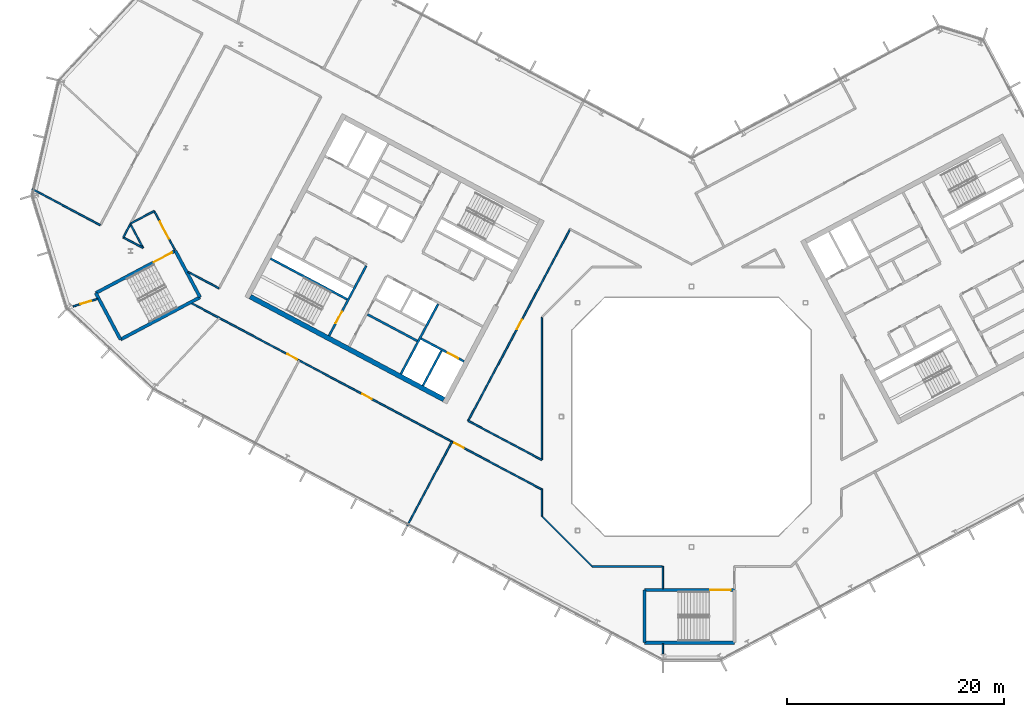
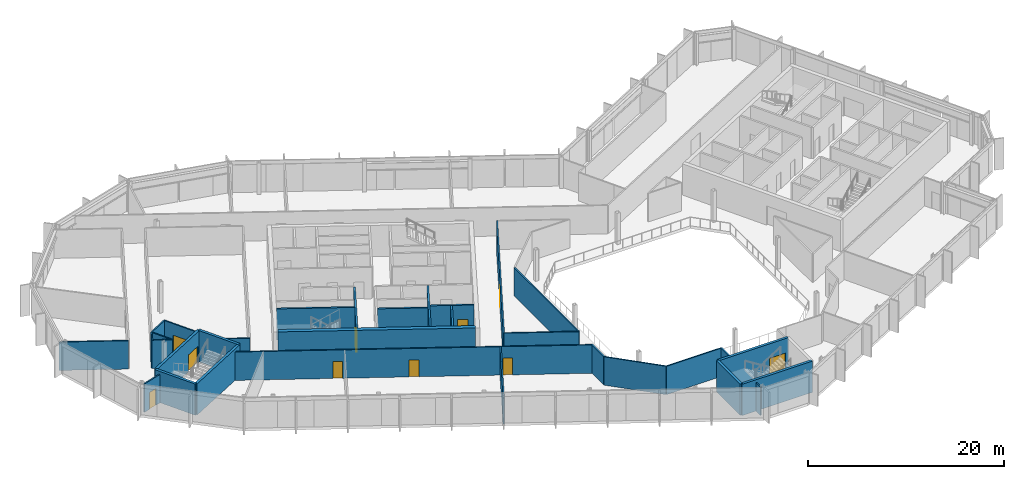
# One storey, part 13 of 26: 32 walls, 10 doors, 10 openings.
"""IFC4 building model written with IfcOpenShell, lengths in metres."""

from ifc_helpers import new_model, si_unit, direction, frame, frame_2d, origin, place, context, subcontext, project, spatial, rectangle, extrude, material, layer, layer_set, type_object, element, fill, save


model = new_model("IFC4")

# Units and contexts
model_context = context("Model", 3, precision=1e-05, world=origin(), true_north=direction((0.0, 1.0)))
body_context = subcontext(model_context, "Body", "Model", "MODEL_VIEW")
ifc_project = project(units=[si_unit("LENGTHUNIT", "METRE"), si_unit("AREAUNIT", "SQUARE_METRE"), si_unit("VOLUMEUNIT", "CUBIC_METRE"), si_unit("PLANEANGLEUNIT", "RADIAN"), si_unit("MASSUNIT", "GRAM", prefix="KILO")], contexts=[model_context])

# Site, building, storey
site_placement = place(None, origin())
site = spatial("IfcSite", under=ifc_project, at=site_placement, CompositionType="ELEMENT")
building_placement = place(site_placement, origin())
building = spatial("IfcBuilding", under=site, at=building_placement, Name="Cormorant Relay Tower", CompositionType="ELEMENT")
storey_placement = place(building_placement, frame((0.0, 0.0, 304.800048828125)))
storey = spatial("IfcBuildingStorey", under=building, at=storey_placement, Name="L69", CompositionType="ELEMENT", Elevation=304.800048828125)

# Walls
ifc_material_1 = material(Name="Concrete 40 MPa", Category="concrete")
ifc_layer_1 = layer(ifc_material_1, 0.199951171875)
ifc_layer_set_1 = layer_set([ifc_layer_1], Name="Core internal wall 200")
wall_type_1 = type_object("IfcWallType", Name="Core internal wall 200", PredefinedType="SOLIDWALL", material=ifc_layer_set_1)
wall_1_placement = place(storey_placement, frame((-25.279541015625, 6.985595703125, 0.0), z_axis=(0.0, 0.0, 1.0), x_axis=(-0.882934506056, 0.469496174655, 0.0)))
element("IfcWall", 1, at=wall_1_placement, inside=storey, type_object=wall_type_1, Name="L69 core A shaft and room wall", PredefinedType="SOLIDWALL", context=body_context, shape_type="SweptSolid", body=[
    extrude(rectangle(XDim=5.199951171875, YDim=0.199951171875, at=frame_2d((2.60009765625, 0.0))), origin(), (0.0, 0.0, 1.0), 3.89990234375),
])
ifc_material_2 = material(Name="Concrete 50 MPa", Category="concrete")
ifc_layer_2 = layer(ifc_material_2, 0.199951171875)
ifc_layer_set_2 = layer_set([ifc_layer_2], Name="Core shaft wall 200")
wall_type_2 = type_object("IfcWallType", Name="Core shaft wall 200", PredefinedType="SHEAR", material=ifc_layer_set_2)
wall_2_placement = place(storey_placement, frame((-23.04296875, 6.07958984375, 0.0), z_axis=(0.0, 0.0, 1.0), x_axis=(-0.469494272526, -0.882935517501, 0.0)))
element("IfcWall", 2, at=wall_2_placement, inside=storey, type_object=wall_type_2, Name="L69 core A shaft wall", PredefinedType="SHEAR", context=body_context, shape_type="SweptSolid", body=[
    extrude(rectangle(XDim=3.64990234375, YDim=0.199951171875, at=frame_2d((1.824951171875, 0.0))), origin(), (0.0, 0.0, 1.0), 3.89990234375),
])
wall_3_placement = place(storey_placement, frame((-23.360107421875, 10.38232421875, 0.0), z_axis=(0.0, 0.0, 1.0), x_axis=(-0.469480409012, -0.88294288918, 0.0)))
element("IfcWall", 3, at=wall_3_placement, inside=storey, type_object=wall_type_2, Name="L69 core A shaft wall", PredefinedType="SHEAR", context=body_context, shape_type="SweptSolid", body=[
    extrude(rectangle(XDim=7.300048828125, YDim=0.199951171875, at=frame_2d((3.64990234375, 0.0))), origin(), (0.0, 0.0, 1.0), 3.89990234375),
])

# Wall, opening, door
wall_4_placement = place(storey_placement, frame((-29.982421875, 13.9033203125, 0.0), z_axis=(0.0, 0.0, 1.0), x_axis=(-0.469454336211, -0.882956752176, 0.0)))
wall_4 = element("IfcWall", 4, at=wall_4_placement, inside=storey, type_object=wall_type_2, Name="L69 core A shaft wall", PredefinedType="SHEAR", context=body_context, shape_type="SweptSolid", body=[
    extrude(rectangle(XDim=7.300048828125, YDim=0.199951171875, at=frame_2d((3.64990234375, 0.0))), origin(), (0.0, 0.0, 1.0), 3.89990234375),
])
opening_1_placement = place(wall_4_placement, frame((4.800048828125, 0.0, 0.0)))
opening_1 = element("IfcOpeningElement", 5, at=opening_1_placement, cuts=wall_4, Name="Opening CDB-039", PredefinedType="OPENING", context=body_context, shape_type="SweptSolid", body=[
    extrude(rectangle(XDim=1.199951171875, YDim=2.10009765625, at=frame_2d((0.60009765625, 1.050048828125))), frame((0.0, 0.10986328125, 0.0), z_axis=(0.0, -1.0, 0.0), x_axis=(1.0, 0.0, 0.0)), (0.0, 0.0, 1.0), 0.219970703125),
])
ifc_material_3 = material(Name="Steel fire door", Category="steel")
door_type_1 = type_object("IfcDoorType", Name="Core stair door 1200x2100", OperationType="SINGLE_SWING_LEFT", PredefinedType="DOOR", material=ifc_material_3)
door_1_placement = place(opening_1_placement, frame((1.199951171875, 0.0, 0.0), z_axis=(0.0, 0.0, 1.0), x_axis=(-1.0, 0.0, 0.0)))
door_1 = element("IfcDoor", 6, at=door_1_placement, inside=storey, type_object=door_type_1, Name="Core stair door 1200x2100", OperationType="SINGLE_SWING_RIGHT", OverallHeight=2.10009765625, OverallWidth=1.199951171875, PredefinedType="DOOR", context=body_context, shape_type="SweptSolid", body=[
    extrude(rectangle(XDim=1.199951171875, YDim=2.10009765625, at=frame_2d((0.60009765625, 1.050048828125))), frame((0.0, 0.02490234375, 0.0), z_axis=(0.0, -1.0, 0.0), x_axis=(1.0, 0.0, 0.0)), (0.0, 0.0, 1.0), 0.050048828125),
])
fill(opening_1, door_1)

wall_5_placement = place(storey_placement, frame((-20.96533203125, 5.088134765625, 0.0), z_axis=(0.0, 0.0, 1.0), x_axis=(-0.882925986334, 0.469512196493, 0.0)))
wall_5 = element("IfcWall", 7, at=wall_5_placement, inside=storey, type_object=wall_type_2, Name="L69 core A shaft wall", PredefinedType="SHEAR", context=body_context, shape_type="SweptSolid", body=[
    extrude(rectangle(XDim=4.5, YDim=0.199951171875, at=frame_2d((2.25, 0.0))), origin(), (0.0, 0.0, 1.0), 3.89990234375),
])
opening_2_placement = place(wall_5_placement, frame((0.60009765625, 0.0, 0.0)))
opening_2 = element("IfcOpeningElement", 8, at=opening_2_placement, cuts=wall_5, Name="Opening LD1-063", PredefinedType="OPENING", context=body_context, shape_type="SweptSolid", body=[
    extrude(rectangle(XDim=1.10009765625, YDim=2.10009765625, at=frame_2d((0.550048828125, 1.050048828125))), frame((0.0, 0.10986328125, 0.0), z_axis=(0.0, -1.0, 0.0), x_axis=(1.0, 0.0, 0.0)), (0.0, 0.0, 1.0), 0.219970703125),
])
ifc_material_4 = material(Name="Stainless steel 316", Category="steel")
door_type_2 = type_object("IfcDoorType", Name="Lift landing door 1100x2100", OperationType="DOUBLE_DOOR_SLIDING", PredefinedType="DOOR", material=ifc_material_4)
door_2_placement = place(opening_2_placement, origin())
door_2 = element("IfcDoor", 9, at=door_2_placement, inside=storey, type_object=door_type_2, Name="FF1 landing door", OperationType="DOUBLE_DOOR_SLIDING", OverallHeight=2.10009765625, OverallWidth=1.10009765625, PredefinedType="DOOR", context=body_context, shape_type="SweptSolid", body=[
    extrude(rectangle(XDim=1.10009765625, YDim=2.10009765625, at=frame_2d((0.550048828125, 1.050048828125))), frame((0.0, 0.02490234375, 0.0), z_axis=(0.0, -1.0, 0.0), x_axis=(1.0, 0.0, 0.0)), (0.0, 0.0, 1.0), 0.050048828125),
])
fill(opening_2, door_2)

# Walls
wall_6_placement = place(storey_placement, frame((-31.7373046875, 10.815673828125, 0.0), z_axis=(0.0, 0.0, 1.0), x_axis=(-0.882940221191, 0.469485426614, 0.0)))
element("IfcWall", 10, at=wall_6_placement, inside=storey, type_object=wall_type_2, Name="L69 core A shaft wall", PredefinedType="SHEAR", context=body_context, shape_type="SweptSolid", body=[
    extrude(rectangle(XDim=8.0, YDim=0.199951171875, at=frame_2d((4.0, 0.0))), origin(), (0.0, 0.0, 1.0), 3.89990234375),
])
ifc_material_5 = material(Name="Concrete 50 MPa", Category="concrete")
ifc_layer_3 = layer(ifc_material_5, 0.449951171875)
ifc_layer_set_3 = layer_set([ifc_layer_3], Name="Core wall 450")
wall_type_3 = type_object("IfcWallType", Name="Core wall 450", PredefinedType="SHEAR", material=ifc_layer_set_3)
wall_7_placement = place(storey_placement, frame((-22.83154296875, 1.578369140625, 0.0), z_axis=(0.0, 0.0, 1.0), x_axis=(-0.88294509198, 0.469476266226, 0.0)))
element("IfcWall", 11, at=wall_7_placement, inside=storey, type_object=wall_type_3, Name="L69 core A wall", PredefinedType="SHEAR", context=body_context, shape_type="SweptSolid", body=[
    extrude(rectangle(XDim=20.199951171875, YDim=0.449951171875, at=frame_2d((10.10009765625, 0.0))), origin(), (0.0, 0.0, 1.0), 3.89990234375),
])
ifc_material_6 = material(Name="Gypsum board fire partition")
ifc_layer_4 = layer(ifc_material_6, 0.14990234375)
ifc_layer_set_4 = layer_set([ifc_layer_4], Name="Corridor partition 150 EI 60")
wall_type_4 = type_object("IfcWallType", Name="Corridor partition 150 EI 60", PredefinedType="PARTITIONING", material=ifc_layer_set_4)
wall_8_placement = place(storey_placement, frame((-54.492919921875, 17.64892578125, 0.0), z_axis=(0.0, 0.0, 1.0), x_axis=(-0.882938254124, 0.469489125971, 0.0)))
element("IfcWall", 12, at=wall_8_placement, inside=storey, type_object=wall_type_4, Name="wall/L69/part/004", PredefinedType="PARTITIONING", context=body_context, shape_type="SweptSolid", body=[
    extrude(rectangle(XDim=7.127197265625, YDim=0.14990234375, at=frame_2d((3.5634765625, 0.0))), origin(), (0.0, 0.0, 1.0), 3.5400390625),
])

# Wall, opening, door
wall_9_placement = place(storey_placement, frame((-54.73193359375, 10.85693359375, 0.0), z_axis=(0.0, 0.0, 1.0), x_axis=(-0.956231519395, -0.292611143525, 0.0)))
wall_9 = element("IfcWall", 13, at=wall_9_placement, inside=storey, type_object=wall_type_4, Name="wall/L69/part/005", PredefinedType="PARTITIONING", context=body_context, shape_type="SweptSolid", body=[
    extrude(rectangle(XDim=2.385498046875, YDim=0.14990234375, at=frame_2d((1.19287109375, 0.0))), origin(), (0.0, 0.0, 1.0), 3.5400390625),
])
opening_3_placement = place(wall_9_placement, frame((0.64990234375, 0.0, 0.0)))
opening_3 = element("IfcOpeningElement", 14, at=opening_3_placement, cuts=wall_9, Name="Opening DS-236", PredefinedType="OPENING", context=body_context, shape_type="SweptSolid", body=[
    extrude(rectangle(XDim=1.0, YDim=2.10009765625, at=frame_2d((0.5, 1.050048828125))), frame((0.0, 0.0849609375, 0.0), z_axis=(0.0, -1.0, 0.0), x_axis=(1.0, 0.0, 0.0)), (0.0, 0.0, 1.0), 0.169921875),
])
ifc_material_7 = material(Name="Timber door leaf", Category="wood")
door_type_3 = type_object("IfcDoorType", Name="Suite door 1000x2100", OperationType="SINGLE_SWING_LEFT", PredefinedType="DOOR", material=ifc_material_7)
door_3_placement = place(opening_3_placement, frame((1.0, 0.0, 0.0), z_axis=(0.0, 0.0, 1.0), x_axis=(-1.0, 0.0, 0.0)))
door_3 = element("IfcDoor", 15, at=door_3_placement, inside=storey, type_object=door_type_3, Name="door/L69/008", OperationType="SINGLE_SWING_RIGHT", OverallHeight=2.10009765625, OverallWidth=1.0, PredefinedType="DOOR", context=body_context, shape_type="SweptSolid", body=[
    extrude(rectangle(XDim=1.0, YDim=2.10009765625, at=frame_2d((0.5, 1.050048828125))), frame((0.0, 0.02490234375, 0.0), z_axis=(0.0, -1.0, 0.0), x_axis=(1.0, 0.0, 0.0)), (0.0, 0.0, 1.0), 0.050048828125),
])
fill(opening_3, door_3)

wall_10_placement = place(storey_placement, frame((-47.62109375, 15.3779296875, 0.0), z_axis=(0.0, 0.0, 1.0), x_axis=(-0.469542997944, 0.882909606404, 0.0)))
wall_10 = element("IfcWall", 16, at=wall_10_placement, inside=storey, type_object=wall_type_4, Name="wall/L69/part/010", PredefinedType="PARTITIONING", context=body_context, shape_type="SweptSolid", body=[
    extrude(rectangle(XDim=4.050537109375, YDim=0.14990234375, at=frame_2d((2.025390625, 0.0))), origin(), (0.0, 0.0, 1.0), 3.5400390625),
])
opening_4_placement = place(wall_10_placement, frame((1.14990234375, 0.0, 0.0)))
opening_4 = element("IfcOpeningElement", 17, at=opening_4_placement, cuts=wall_10, Name="Opening DD-040", PredefinedType="OPENING", context=body_context, shape_type="SweptSolid", body=[
    extrude(rectangle(XDim=1.800048828125, YDim=2.10009765625, at=frame_2d((0.89990234375, 1.050048828125))), frame((0.0, 0.0849609375, 0.0), z_axis=(0.0, -1.0, 0.0), x_axis=(1.0, 0.0, 0.0)), (0.0, 0.0, 1.0), 0.169921875),
])
ifc_material_8 = material(Name="Timber door leaf", Category="wood")
door_type_4 = type_object("IfcDoorType", Name="Suite double door 1800x2100", OperationType="DOUBLE_DOOR_SINGLE_SWING", PredefinedType="DOOR", material=ifc_material_8)
door_4_placement = place(opening_4_placement, origin())
door_4 = element("IfcDoor", 18, at=door_4_placement, inside=storey, type_object=door_type_4, Name="door/L69/003", OperationType="DOUBLE_DOOR_SINGLE_SWING", OverallHeight=2.10009765625, OverallWidth=1.800048828125, PredefinedType="DOOR", context=body_context, shape_type="SweptSolid", body=[
    extrude(rectangle(XDim=1.800048828125, YDim=2.10009765625, at=frame_2d((0.89990234375, 1.050048828125))), frame((0.0, 0.02490234375, 0.0), z_axis=(0.0, -1.0, 0.0), x_axis=(1.0, 0.0, 0.0)), (0.0, 0.0, 1.0), 0.050048828125),
])
fill(opening_4, door_4)

# Walls
wall_11_placement = place(storey_placement, frame((-49.52294921875, 18.9541015625, 0.0), z_axis=(0.0, 0.0, 1.0), x_axis=(-0.882767334528, -0.469810422501, 0.0)))
element("IfcWall", 19, at=wall_11_placement, inside=storey, type_object=wall_type_4, Name="wall/L69/part/011", PredefinedType="PARTITIONING", context=body_context, shape_type="SweptSolid", body=[
    extrude(rectangle(XDim=2.460693359375, YDim=0.14990234375, at=frame_2d((1.23046875, 0.0))), origin(), (0.0, 0.0, 1.0), 3.5400390625),
])
wall_12_placement = place(storey_placement, frame((-43.5439453125, 11.826904296875, 0.0), z_axis=(0.0, 0.0, 1.0), x_axis=(-0.882974130461, 0.469421649411, 0.0)))
element("IfcWall", 20, at=wall_12_placement, inside=storey, type_object=wall_type_4, Name="wall/L69/part/015", PredefinedType="PARTITIONING", context=body_context, shape_type="SweptSolid", body=[
    extrude(rectangle(XDim=3.238037109375, YDim=0.14990234375, at=frame_2d((1.619140625, 0.0))), origin(), (0.0, 0.0, 1.0), 3.5400390625),
])

# Wall, openings, doors
wall_13_placement = place(storey_placement, frame((-13.800048828125, -6.7060546875, 0.0), z_axis=(0.0, 0.0, 1.0), x_axis=(-0.882947286887, 0.469472138235, 0.0)))
wall_13 = element("IfcWall", 21, at=wall_13_placement, inside=storey, type_object=wall_type_4, Name="wall/L69/part/016", PredefinedType="PARTITIONING", context=body_context, shape_type="SweptSolid", body=[
    extrude(rectangle(XDim=36.57080078125, YDim=0.14990234375, at=frame_2d((18.285400390625, 0.0))), origin(), (0.0, 0.0, 1.0), 3.5400390625),
])
opening_5_placement = place(wall_13_placement, frame((25.550048828125, 0.0, 0.0)))
opening_5 = element("IfcOpeningElement", 22, at=opening_5_placement, cuts=wall_13, Name="Opening DS-237", PredefinedType="OPENING", context=body_context, shape_type="SweptSolid", body=[
    extrude(rectangle(XDim=1.0, YDim=2.10009765625, at=frame_2d((0.5, 1.050048828125))), frame((0.0, 0.0849609375, 0.0), z_axis=(0.0, -1.0, 0.0), x_axis=(1.0, 0.0, 0.0)), (0.0, 0.0, 1.0), 0.169921875),
])
opening_6_placement = place(wall_13_placement, frame((17.75, 0.0, 0.0)))
opening_6 = element("IfcOpeningElement", 23, at=opening_6_placement, cuts=wall_13, Name="Opening DS-238", PredefinedType="OPENING", context=body_context, shape_type="SweptSolid", body=[
    extrude(rectangle(XDim=1.0, YDim=2.10009765625, at=frame_2d((0.5, 1.050048828125))), frame((0.0, 0.0849609375, 0.0), z_axis=(0.0, -1.0, 0.0), x_axis=(1.0, 0.0, 0.0)), (0.0, 0.0, 1.0), 0.169921875),
])
opening_7_placement = place(wall_13_placement, frame((8.14990234375, 0.0, 0.0)))
opening_7 = element("IfcOpeningElement", 24, at=opening_7_placement, cuts=wall_13, Name="Opening DS-239", PredefinedType="OPENING", context=body_context, shape_type="SweptSolid", body=[
    extrude(rectangle(XDim=1.0, YDim=2.10009765625, at=frame_2d((0.5, 1.050048828125))), frame((0.0, 0.0849609375, 0.0), z_axis=(0.0, -1.0, 0.0), x_axis=(1.0, 0.0, 0.0)), (0.0, 0.0, 1.0), 0.169921875),
])
door_5_placement = place(opening_5_placement, frame((1.0, 0.0, 0.0), z_axis=(0.0, 0.0, 1.0), x_axis=(-1.0, 0.0, 0.0)))
door_5 = element("IfcDoor", 25, at=door_5_placement, inside=storey, type_object=door_type_3, Name="door/L69/009", OperationType="SINGLE_SWING_RIGHT", OverallHeight=2.10009765625, OverallWidth=1.0, PredefinedType="DOOR", context=body_context, shape_type="SweptSolid", body=[
    extrude(rectangle(XDim=1.0, YDim=2.10009765625, at=frame_2d((0.5, 1.050048828125))), frame((0.0, 0.02490234375, 0.0), z_axis=(0.0, -1.0, 0.0), x_axis=(1.0, 0.0, 0.0)), (0.0, 0.0, 1.0), 0.050048828125),
])
fill(opening_5, door_5)
door_6_placement = place(opening_6_placement, frame((1.0, 0.0, 0.0), z_axis=(0.0, 0.0, 1.0), x_axis=(-1.0, 0.0, 0.0)))
door_6 = element("IfcDoor", 26, at=door_6_placement, inside=storey, type_object=door_type_3, Name="door/L69/010", OperationType="SINGLE_SWING_RIGHT", OverallHeight=2.10009765625, OverallWidth=1.0, PredefinedType="DOOR", context=body_context, shape_type="SweptSolid", body=[
    extrude(rectangle(XDim=1.0, YDim=2.10009765625, at=frame_2d((0.5, 1.050048828125))), frame((0.0, 0.02490234375, 0.0), z_axis=(0.0, -1.0, 0.0), x_axis=(1.0, 0.0, 0.0)), (0.0, 0.0, 1.0), 0.050048828125),
])
fill(opening_6, door_6)
door_7_placement = place(opening_7_placement, frame((1.0, 0.0, 0.0), z_axis=(0.0, 0.0, 1.0), x_axis=(-1.0, 0.0, 0.0)))
door_7 = element("IfcDoor", 27, at=door_7_placement, inside=storey, type_object=door_type_3, Name="door/L69/011", OperationType="SINGLE_SWING_RIGHT", OverallHeight=2.10009765625, OverallWidth=1.0, PredefinedType="DOOR", context=body_context, shape_type="SweptSolid", body=[
    extrude(rectangle(XDim=1.0, YDim=2.10009765625, at=frame_2d((0.5, 1.050048828125))), frame((0.0, 0.02490234375, 0.0), z_axis=(0.0, -1.0, 0.0), x_axis=(1.0, 0.0, 0.0)), (0.0, 0.0, 1.0), 0.050048828125),
])
fill(opening_7, door_7)

# Walls
wall_14_placement = place(storey_placement, frame((-2.693115234375, -13.800048828125, 0.0), z_axis=(0.0, 0.0, 1.0), x_axis=(-1.0, 0.0, 0.0)))
element("IfcWall", 28, at=wall_14_placement, inside=storey, type_object=wall_type_4, Name="wall/L69/part/022", PredefinedType="PARTITIONING", context=body_context, shape_type="SweptSolid", body=[
    extrude(rectangle(XDim=6.466796875, YDim=0.14990234375, at=frame_2d((3.2333984375, 0.0))), origin(), (0.0, 0.0, 1.0), 3.5400390625),
])
wall_15_placement = place(storey_placement, frame((-9.159912109375, -13.800048828125, 0.0), z_axis=(0.0, 0.0, 1.0), x_axis=(-0.707106781187, 0.707106781187, 0.0)))
element("IfcWall", 29, at=wall_15_placement, inside=storey, type_object=wall_type_4, Name="wall/L69/part/023", PredefinedType="PARTITIONING", context=body_context, shape_type="SweptSolid", body=[
    extrude(rectangle(XDim=6.562255859375, YDim=0.14990234375, at=frame_2d((3.28125, 0.0))), origin(), (0.0, 0.0, 1.0), 3.5400390625),
])
wall_16_placement = place(storey_placement, frame((-13.800048828125, -9.159912109375, 0.0), z_axis=(0.0, 0.0, 1.0), x_axis=(0.0, 1.0, 0.0)))
element("IfcWall", 30, at=wall_16_placement, inside=storey, type_object=wall_type_4, Name="wall/L69/part/024", PredefinedType="PARTITIONING", context=body_context, shape_type="SweptSolid", body=[
    extrude(rectangle(XDim=2.50390625, YDim=0.14990234375, at=frame_2d((1.251953125, 0.0))), origin(), (0.0, 0.0, 1.0), 3.5400390625),
])
wall_17_placement = place(storey_placement, frame((-2.64892578125, -15.875, 0.0), z_axis=(0.0, 0.0, 1.0), x_axis=(0.0, 1.0, 0.0)))
element("IfcWall", 31, at=wall_17_placement, inside=storey, type_object=wall_type_4, Name="wall/L69/part/026", PredefinedType="PARTITIONING", context=body_context, shape_type="SweptSolid", body=[
    extrude(rectangle(XDim=2.074951171875, YDim=0.14990234375, at=frame_2d((1.03759765625, 0.0))), origin(), (0.0, 0.0, 1.0), 3.5400390625),
])
wall_18_placement = place(storey_placement, frame((-51.717041015625, 17.757080078125, 0.0), z_axis=(0.0, 0.0, 1.0), x_axis=(-0.469618761384, -0.882869310236, 0.0)))
element("IfcWall", 32, at=wall_18_placement, inside=storey, type_object=wall_type_4, Name="wall/L69/part/043", PredefinedType="PARTITIONING", context=body_context, shape_type="SweptSolid", body=[
    extrude(rectangle(XDim=1.39892578125, YDim=0.14990234375, at=frame_2d((0.699462890625, 0.0))), origin(), (0.0, 0.0, 1.0), 3.5400390625),
])
wall_19_placement = place(storey_placement, frame((-52.3740234375, 16.52197265625, 0.0), z_axis=(0.0, 0.0, 1.0), x_axis=(0.882981472085, -0.469407839682, 0.0)))
element("IfcWall", 33, at=wall_19_placement, inside=storey, type_object=wall_type_4, Name="wall/L69/part/044", PredefinedType="PARTITIONING", context=body_context, shape_type="SweptSolid", body=[
    extrude(rectangle(XDim=2.072509765625, YDim=0.14990234375, at=frame_2d((1.0361328125, 0.0))), origin(), (0.0, 0.0, 1.0), 3.5400390625),
])
wall_20_placement = place(storey_placement, frame((-50.5439453125, 15.549072265625, 0.0), z_axis=(0.0, 0.0, 1.0), x_axis=(-0.469183782948, 0.883100547967, 0.0)))
element("IfcWall", 34, at=wall_20_placement, inside=storey, type_object=wall_type_4, Name="wall/L69/part/045", PredefinedType="PARTITIONING", context=body_context, shape_type="SweptSolid", body=[
    extrude(rectangle(XDim=2.500244140625, YDim=0.14990234375, at=frame_2d((1.25, 0.0))), origin(), (0.0, 0.0, 1.0), 3.5400390625),
])

# Wall, opening, door
wall_21_placement = place(storey_placement, frame((-20.587890625, -0.37890625, 0.0), z_axis=(0.0, 0.0, 1.0), x_axis=(0.469489882812, 0.882937851685, 0.0)))
wall_21 = element("IfcWall", 35, at=wall_21_placement, inside=storey, type_object=wall_type_4, Name="wall/L69/part/046", PredefinedType="PARTITIONING", context=body_context, shape_type="SweptSolid", body=[
    extrude(rectangle(XDim=20.000244140625, YDim=0.14990234375, at=frame_2d((10.0, 0.0))), origin(), (0.0, 0.0, 1.0), 3.5400390625),
])
opening_8_placement = place(wall_21_placement, frame((9.550048828125, 0.0, 0.0)))
opening_8 = element("IfcOpeningElement", 36, at=opening_8_placement, cuts=wall_21, Name="Opening DS-234", PredefinedType="OPENING", context=body_context, shape_type="SweptSolid", body=[
    extrude(rectangle(XDim=1.0, YDim=2.10009765625, at=frame_2d((0.5, 1.050048828125))), frame((0.0, 0.0849609375, 0.0), z_axis=(0.0, -1.0, 0.0), x_axis=(1.0, 0.0, 0.0)), (0.0, 0.0, 1.0), 0.169921875),
])
door_8_placement = place(opening_8_placement, origin())
door_8 = element("IfcDoor", 37, at=door_8_placement, inside=storey, type_object=door_type_3, Name="door/L69/004", OperationType="SINGLE_SWING_RIGHT", OverallHeight=2.10009765625, OverallWidth=1.0, PredefinedType="DOOR", context=body_context, shape_type="SweptSolid", body=[
    extrude(rectangle(XDim=1.0, YDim=2.10009765625, at=frame_2d((0.5, 1.050048828125))), frame((0.0, 0.02490234375, 0.0), z_axis=(0.0, -1.0, 0.0), x_axis=(1.0, 0.0, 0.0)), (0.0, 0.0, 1.0), 0.050048828125),
])
fill(opening_8, door_8)

# Walls
wall_22_placement = place(storey_placement, frame((-13.800048828125, 9.159912109375, 0.0), z_axis=(0.0, 0.0, 1.0), x_axis=(0.0, -1.0, 0.0)))
element("IfcWall", 38, at=wall_22_placement, inside=storey, type_object=wall_type_4, Name="wall/L69/part/050", PredefinedType="PARTITIONING", context=body_context, shape_type="SweptSolid", body=[
    extrude(rectangle(XDim=13.14794921875, YDim=0.14990234375, at=frame_2d((6.573974609375, 0.0))), origin(), (0.0, 0.0, 1.0), 3.5400390625),
])
wall_23_placement = place(storey_placement, frame((-13.800048828125, -3.988037109375, 0.0), z_axis=(0.0, 0.0, 1.0), x_axis=(-0.882949137368, 0.469468657976, 0.0)))
element("IfcWall", 39, at=wall_23_placement, inside=storey, type_object=wall_type_4, Name="wall/L69/part/051", PredefinedType="PARTITIONING", context=body_context, shape_type="SweptSolid", body=[
    extrude(rectangle(XDim=7.687744140625, YDim=0.14990234375, at=frame_2d((3.84375, 0.0))), origin(), (0.0, 0.0, 1.0), 3.5400390625),
])
ifc_material_9 = material(Name="Concrete 50 MPa", Category="concrete")
ifc_layer_5 = layer(ifc_material_9, 0.300048828125)
ifc_layer_set_5 = layer_set([ifc_layer_5], Name="Remote stair wall 300")
wall_type_5 = type_object("IfcWallType", Name="Remote stair wall 300", PredefinedType="SHEAR", material=ifc_layer_set_5)
wall_24_placement = place(storey_placement, frame((3.949951171875, -20.824951171875, 0.0), z_axis=(0.0, 0.0, 1.0), x_axis=(-1.0, 0.0, 0.0)))
element("IfcWall", 40, at=wall_24_placement, inside=storey, type_object=wall_type_5, Name="L69 exit stair RK1 wall", PredefinedType="SHEAR", context=body_context, shape_type="SweptSolid", body=[
    extrude(rectangle(XDim=8.300048828125, YDim=0.300048828125, at=frame_2d((4.14990234375, 0.0))), origin(), (0.0, 0.0, 1.0), 3.89990234375),
])
wall_25_placement = place(storey_placement, frame((-4.35009765625, -20.824951171875, 0.0), z_axis=(0.0, 0.0, 1.0), x_axis=(0.0, 1.0, 0.0)))
element("IfcWall", 41, at=wall_25_placement, inside=storey, type_object=wall_type_5, Name="L69 exit stair RK1 wall", PredefinedType="SHEAR", context=body_context, shape_type="SweptSolid", body=[
    extrude(rectangle(XDim=4.849853515625, YDim=0.300048828125, at=frame_2d((2.4248046875, 0.0))), origin(), (0.0, 0.0, 1.0), 3.89990234375),
])

# Wall, opening, door
wall_26_placement = place(storey_placement, frame((-4.35009765625, -15.97509765625, 0.0), z_axis=(0.0, 0.0, 1.0), x_axis=(1.0, 0.0, 0.0)))
wall_26 = element("IfcWall", 42, at=wall_26_placement, inside=storey, type_object=wall_type_5, Name="L69 exit stair RK1 wall", PredefinedType="SHEAR", context=body_context, shape_type="SweptSolid", body=[
    extrude(rectangle(XDim=8.300048828125, YDim=0.300048828125, at=frame_2d((4.14990234375, 0.0))), origin(), (0.0, 0.0, 1.0), 3.89990234375),
])
opening_9_placement = place(wall_26_placement, frame((6.050048828125, 0.0, 0.0)))
opening_9 = element("IfcOpeningElement", 43, at=opening_9_placement, cuts=wall_26, Name="Opening CDE-016", PredefinedType="OPENING", context=body_context, shape_type="SweptSolid", body=[
    extrude(rectangle(XDim=1.89990234375, YDim=2.10009765625, at=frame_2d((0.949951171875, 1.050048828125))), frame((0.0, 0.159912109375, 0.0), z_axis=(0.0, -1.0, 0.0), x_axis=(1.0, 0.0, 0.0)), (0.0, 0.0, 1.0), 0.320068359375),
])
ifc_material_10 = material(Name="Steel fire door", Category="steel")
door_type_5 = type_object("IfcDoorType", Name="Remote stair door 1900x2100", OperationType="DOUBLE_DOOR_SINGLE_SWING", PredefinedType="DOOR", material=ifc_material_10)
door_9_placement = place(opening_9_placement, origin())
door_9 = element("IfcDoor", 44, at=door_9_placement, inside=storey, type_object=door_type_5, Name="Exit stair RK1 door", OperationType="DOUBLE_DOOR_SINGLE_SWING", OverallHeight=2.10009765625, OverallWidth=1.89990234375, PredefinedType="DOOR", context=body_context, shape_type="SweptSolid", body=[
    extrude(rectangle(XDim=1.89990234375, YDim=2.10009765625, at=frame_2d((0.949951171875, 1.050048828125))), frame((0.0, 0.02490234375, 0.0), z_axis=(0.0, -1.0, 0.0), x_axis=(1.0, 0.0, 0.0)), (0.0, 0.0, 1.0), 0.050048828125),
])
fill(opening_9, door_9)

# Walls
wall_27_placement = place(storey_placement, frame((-47.57421875, 15.28955078125, 0.0), z_axis=(0.0, 0.0, 1.0), x_axis=(0.469443498566, -0.882962514297, 0.0)))
element("IfcWall", 45, at=wall_27_placement, inside=storey, type_object=wall_type_5, Name="L69 exit stair RP1 wall", PredefinedType="SHEAR", context=body_context, shape_type="SweptSolid", body=[
    extrude(rectangle(XDim=4.85009765625, YDim=0.300048828125, at=frame_2d((2.425048828125, 0.0))), origin(), (0.0, 0.0, 1.0), 3.89990234375),
])
wall_28_placement = place(storey_placement, frame((-45.29736328125, 11.007080078125, 0.0), z_axis=(0.0, 0.0, 1.0), x_axis=(-0.882951519127, -0.469464178475, 0.0)))
element("IfcWall", 46, at=wall_28_placement, inside=storey, type_object=wall_type_5, Name="L69 exit stair RP1 wall", PredefinedType="SHEAR", context=body_context, shape_type="SweptSolid", body=[
    extrude(rectangle(XDim=8.2998046875, YDim=0.300048828125, at=frame_2d((4.14990234375, 0.0))), origin(), (0.0, 0.0, 1.0), 3.89990234375),
])
wall_29_placement = place(storey_placement, frame((-52.625732421875, 7.110595703125, 0.0), z_axis=(0.0, 0.0, 1.0), x_axis=(-0.469464364128, 0.882951420416, 0.0)))
element("IfcWall", 47, at=wall_29_placement, inside=storey, type_object=wall_type_5, Name="L69 exit stair RP1 wall", PredefinedType="SHEAR", context=body_context, shape_type="SweptSolid", body=[
    extrude(rectangle(XDim=4.849853515625, YDim=0.300048828125, at=frame_2d((2.4248046875, 0.0))), origin(), (0.0, 0.0, 1.0), 3.89990234375),
])

# Wall, opening, door
wall_30_placement = place(storey_placement, frame((-54.902587890625, 11.392822265625, 0.0), z_axis=(0.0, 0.0, 1.0), x_axis=(0.882939326045, 0.469487110071, 0.0)))
wall_30 = element("IfcWall", 48, at=wall_30_placement, inside=storey, type_object=wall_type_5, Name="L69 exit stair RP1 wall", PredefinedType="SHEAR", context=body_context, shape_type="SweptSolid", body=[
    extrude(rectangle(XDim=8.300048828125, YDim=0.300048828125, at=frame_2d((4.14990234375, 0.0))), origin(), (0.0, 0.0, 1.0), 3.89990234375),
])
opening_10_placement = place(wall_30_placement, frame((6.050048828125, 0.0, 0.0)))
opening_10 = element("IfcOpeningElement", 49, at=opening_10_placement, cuts=wall_30, Name="Opening CDE-017", PredefinedType="OPENING", context=body_context, shape_type="SweptSolid", body=[
    extrude(rectangle(XDim=1.89990234375, YDim=2.10009765625, at=frame_2d((0.949951171875, 1.050048828125))), frame((0.0, 0.159912109375, 0.0), z_axis=(0.0, -1.0, 0.0), x_axis=(1.0, 0.0, 0.0)), (0.0, 0.0, 1.0), 0.320068359375),
])
door_10_placement = place(opening_10_placement, origin())
door_10 = element("IfcDoor", 50, at=door_10_placement, inside=storey, type_object=door_type_5, Name="Exit stair RP1 door", OperationType="DOUBLE_DOOR_SINGLE_SWING", OverallHeight=2.10009765625, OverallWidth=1.89990234375, PredefinedType="DOOR", context=body_context, shape_type="SweptSolid", body=[
    extrude(rectangle(XDim=1.89990234375, YDim=2.10009765625, at=frame_2d((0.949951171875, 1.050048828125))), frame((0.0, 0.02490234375, 0.0), z_axis=(0.0, -1.0, 0.0), x_axis=(1.0, 0.0, 0.0)), (0.0, 0.0, 1.0), 0.050048828125),
])
fill(opening_10, door_10)

# Walls
ifc_material_11 = material(Name="Gypsum board partition")
ifc_layer_6 = layer(ifc_material_11, 0.14990234375)
ifc_layer_set_6 = layer_set([ifc_layer_6], Name="Tenant partition 150")
wall_type_6 = type_object("IfcWallType", Name="Tenant partition 150", PredefinedType="PARTITIONING", material=ifc_layer_set_6)
wall_31_placement = place(storey_placement, frame((-22.0830078125, -2.302001953125, 0.0), z_axis=(0.0, 0.0, 1.0), x_axis=(-0.469445946219, -0.882961212952, 0.0)))
element("IfcWall", 51, at=wall_31_placement, inside=storey, type_object=wall_type_6, Name="wall/L69/part/019", PredefinedType="PARTITIONING", context=body_context, shape_type="SweptSolid", body=[
    extrude(rectangle(XDim=8.800048828125, YDim=0.14990234375, at=frame_2d((4.39990234375, 0.0))), origin(), (0.0, 0.0, 1.0), 3.5400390625),
])
wall_32_placement = place(storey_placement, frame((-2.64892578125, -20.925048828125, 0.0), z_axis=(0.0, 0.0, 1.0), x_axis=(0.0, -1.0, 0.0)))
element("IfcWall", 52, at=wall_32_placement, inside=storey, type_object=wall_type_6, Name="wall/L69/part/027", PredefinedType="PARTITIONING", context=body_context, shape_type="SweptSolid", body=[
    extrude(rectangle(XDim=0.966064453125, YDim=0.14990234375, at=frame_2d((0.48291015625, 0.0))), origin(), (0.0, 0.0, 1.0), 3.5400390625),
])

save(model, "model.ifc")
